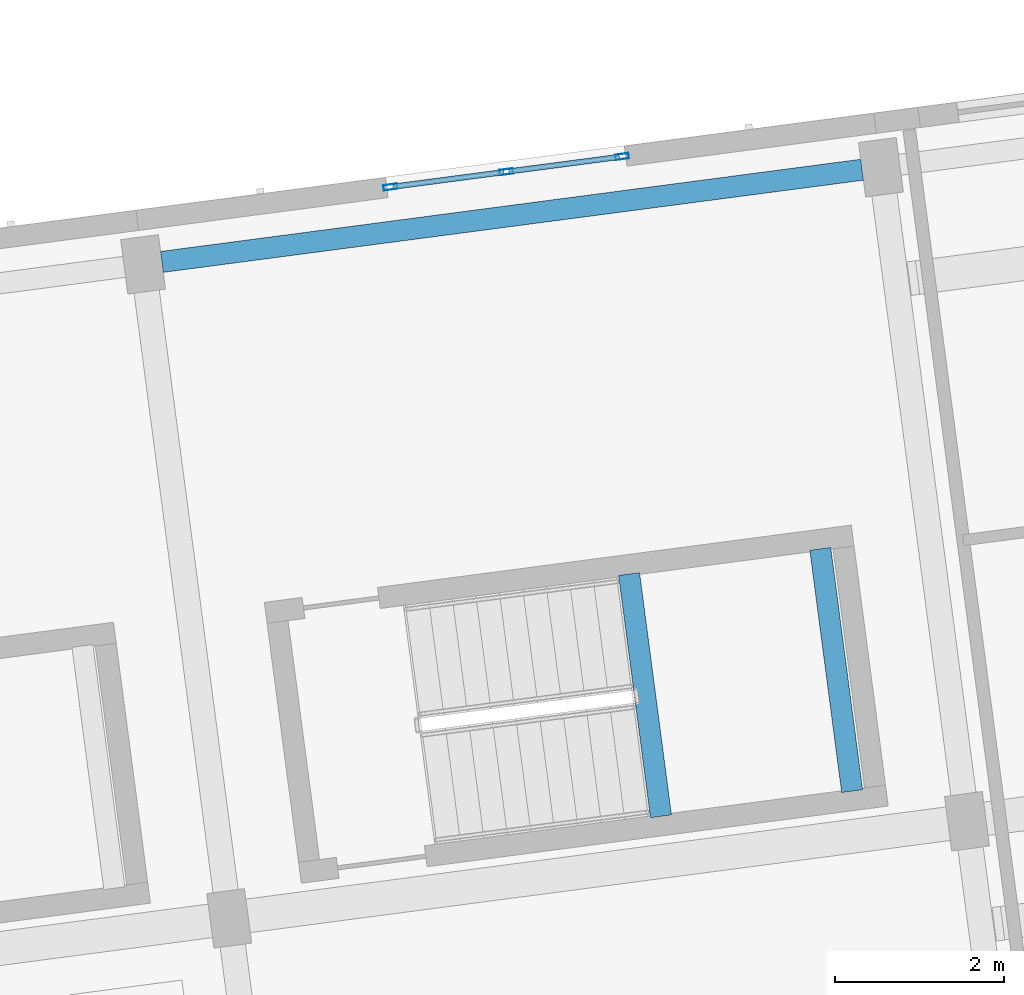
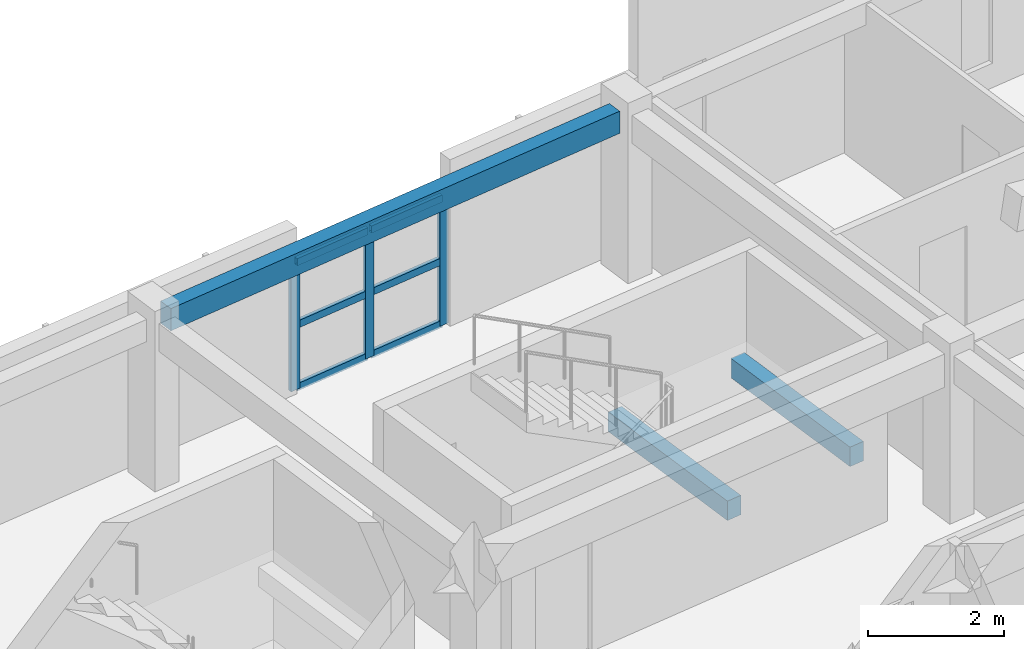
# One storey, part 3 of 16: 9 members, 3 beams, 1 element without a shape of its own.
"""IFC4 building model written with IfcOpenShell, lengths in metres."""

from ifc_helpers import new_model, si_unit, direction, frame, origin, origin_2d, place, context, subcontext, project, spatial, rectangle, hollow_rectangle, extrude, material, material_profile, profile_set, type_object, element, aggregate, save


model = new_model("IFC4")

# Units and contexts
model_context = context("Model", 3, precision=1e-05, world=origin(), true_north=direction((0.0, 1.0)))
body_context = subcontext(model_context, "Body", "Model", "MODEL_VIEW")
ifc_project = project(units=[si_unit("LENGTHUNIT", "METRE"), si_unit("AREAUNIT", "SQUARE_METRE"), si_unit("VOLUMEUNIT", "CUBIC_METRE"), si_unit("PLANEANGLEUNIT", "RADIAN"), si_unit("MASSUNIT", "GRAM", prefix="KILO")], contexts=[model_context])

# Site, building, storey
site_placement = place(None, origin())
site = spatial("IfcSite", under=ifc_project, at=site_placement, CompositionType="ELEMENT")
building_placement = place(site_placement, origin())
building = spatial("IfcBuilding", under=site, at=building_placement, Name="Kestramere Prow Commons", CompositionType="ELEMENT")
storey_placement = place(building_placement, frame((0.0, 0.0, 40.89990234375)))
storey = spatial("IfcBuildingStorey", under=building, at=storey_placement, Name="L12", CompositionType="ELEMENT", Elevation=40.89990234375)

# Beams
ifc_material_1 = material(Name="Concrete C40/50", Category="concrete")
ifc_material_profile_1 = material_profile(ifc_material_1, rectangle(XDim=0.25, YDim=0.35009765625, at=origin_2d()), Name="PC-BM 250x350")
ifc_profile_set_1 = profile_set([ifc_material_profile_1], Name="Concrete C40/50")
beam_type_1 = type_object("IfcBeamType", Name="BM-ST-TRIM", PredefinedType="BEAM", material=ifc_profile_set_1)
for number, where, z_axis, x_axis, name in (
    (1, (32.1630859375, 87.599609375, 1.25), (-0.130509140242, 0.99144710616, 0.0), (-0.99144710616, -0.130509140242, 0.0), "ST-A2 L12 Landing Trimmer Beam 1A"),
    (2, (34.423583984375, 87.897216796875, 1.25), (-0.130509140242, 0.99144710616, 0.0), (-0.99144710616, -0.130509140242, 0.0), "ST-A2 L12 Landing Trimmer Beam 1B"),
):
    element("IfcBeam", number, at=place(storey_placement, frame(where, z_axis=z_axis, x_axis=x_axis)), inside=storey, type_object=beam_type_1, Name=name, PredefinedType="BEAM", context=body_context, shape_type="SweptSolid", body=[
        extrude(rectangle(XDim=0.25, YDim=0.35009765625, at=origin_2d()), origin(), (0.0, 0.0, 1.0), 2.89013671875),
    ])

# Curtain wall, members
ifc_material_2 = material(Name="Anodised Aluminium and Low-E Glass", Category="aluminium")
curtain_wall_type = type_object("IfcCurtainWallType", Name="CW-03 Glazed Curtain Wall 2830x2320", PredefinedType="USERDEFINED", material=ifc_material_2)
curtain_wall_placement = place(storey_placement, origin())
curtain_wall = element("IfcCurtainWall", 3, at=curtain_wall_placement, inside=storey, type_object=curtain_wall_type, Name="Block A L12 Stairwell Vertical Glazing 3", ObjectType="GLAZED CURTAIN WALL", PredefinedType="USERDEFINED")
ifc_material_3 = material(Name="Anodised Aluminium 6063-T6", Category="aluminium")
ifc_material_profile_2 = material_profile(ifc_material_3, hollow_rectangle(XDim=0.06494140625, YDim=0.159912109375, WallThickness=0.00390625, at=origin_2d()), Name="ALU-MUL 65x160")
ifc_profile_set_2 = profile_set([ifc_material_profile_2], Name="Anodised Aluminium 6063-T6")
member_type_1 = type_object("IfcMemberType", Name="CW-MUL-65x160", PredefinedType="MULLION", material=ifc_profile_set_2)
member_1_placement = place(storey_placement, frame((28.962158203125, 95.04052734375, 0.0), z_axis=(0.0, 0.0, 1.0), x_axis=(-0.130526494555, 0.991444821571, 0.0)))
member_1 = element("IfcMember", 4, at=member_1_placement, type_object=member_type_1, Name="CW-03 mullion 1", PredefinedType="MULLION", context=body_context, shape_type="SweptSolid", body=[
    extrude(hollow_rectangle(XDim=0.06494140625, YDim=0.159912109375, WallThickness=0.00390625, at=origin_2d()), origin(), (0.0, 0.0, 1.0), 2.320068359375),
])
member_2_placement = place(storey_placement, frame((30.332763671875, 95.220947265625, 0.0), z_axis=(0.0, 0.0, 1.0), x_axis=(-0.130526494555, 0.991444821571, 0.0)))
member_2 = element("IfcMember", 5, at=member_2_placement, type_object=member_type_1, Name="CW-03 mullion 2", PredefinedType="MULLION", context=body_context, shape_type="SweptSolid", body=[
    extrude(hollow_rectangle(XDim=0.06494140625, YDim=0.159912109375, WallThickness=0.00390625, at=origin_2d()), origin(), (0.0, 0.0, 1.0), 2.320068359375),
])
member_3_placement = place(storey_placement, frame((31.703369140625, 95.4013671875, 0.0), z_axis=(0.0, 0.0, 1.0), x_axis=(-0.130526494555, 0.991444821571, 0.0)))
member_3 = element("IfcMember", 6, at=member_3_placement, type_object=member_type_1, Name="CW-03 mullion 3", PredefinedType="MULLION", context=body_context, shape_type="SweptSolid", body=[
    extrude(hollow_rectangle(XDim=0.06494140625, YDim=0.159912109375, WallThickness=0.00390625, at=origin_2d()), origin(), (0.0, 0.0, 1.0), 2.320068359375),
])
ifc_material_profile_3 = material_profile(ifc_material_3, hollow_rectangle(XDim=0.06494140625, YDim=0.1298828125, WallThickness=0.00390625, at=origin_2d()), Name="ALU-TRN 65x130")
ifc_profile_set_3 = profile_set([ifc_material_profile_3], Name="Anodised Aluminium 6063-T6")
member_type_2 = type_object("IfcMemberType", Name="CW-TRN-65x130", PredefinedType="USERDEFINED", material=ifc_profile_set_3)
member_4_placement = place(storey_placement, frame((28.994384765625, 95.044677734375, 0.03271484375), z_axis=(0.99142904707, 0.130646257605, 0.0), x_axis=(-0.130646257605, 0.99142904707, 0.0)))
member_4 = element("IfcMember", 7, at=member_4_placement, type_object=member_type_2, Name="CW-03 transom 1.1", ObjectType="TRANSOM", PredefinedType="USERDEFINED", context=body_context, shape_type="SweptSolid", body=[
    extrude(hollow_rectangle(XDim=0.06494140625, YDim=0.1298828125, WallThickness=0.00390625, at=origin_2d()), origin(), (0.0, 0.0, 1.0), 1.3173828125),
])
member_5_placement = place(storey_placement, frame((28.994384765625, 95.044677734375, 1.16015625), z_axis=(0.99142904707, 0.130646257605, 0.0), x_axis=(-0.130646257605, 0.99142904707, 0.0)))
member_5 = element("IfcMember", 8, at=member_5_placement, type_object=member_type_2, Name="CW-03 transom 1.2", ObjectType="TRANSOM", PredefinedType="USERDEFINED", context=body_context, shape_type="SweptSolid", body=[
    extrude(hollow_rectangle(XDim=0.06494140625, YDim=0.1298828125, WallThickness=0.00390625, at=origin_2d()), origin(), (0.0, 0.0, 1.0), 1.3173828125),
])
member_6_placement = place(storey_placement, frame((28.994384765625, 95.044677734375, 2.28759765625), z_axis=(0.99142904707, 0.130646257605, 0.0), x_axis=(-0.130646257605, 0.99142904707, 0.0)))
member_6 = element("IfcMember", 9, at=member_6_placement, type_object=member_type_2, Name="CW-03 transom 1.3", ObjectType="TRANSOM", PredefinedType="USERDEFINED", context=body_context, shape_type="SweptSolid", body=[
    extrude(hollow_rectangle(XDim=0.06494140625, YDim=0.1298828125, WallThickness=0.00390625, at=origin_2d()), origin(), (0.0, 0.0, 1.0), 1.3173828125),
])
member_7_placement = place(storey_placement, frame((30.364990234375, 95.225341796875, 0.03271484375), z_axis=(0.991453033969, 0.130464100171, 0.0), x_axis=(-0.130464100171, 0.991453033969, 0.0)))
member_7 = element("IfcMember", 10, at=member_7_placement, type_object=member_type_2, Name="CW-03 transom 2.1", ObjectType="TRANSOM", PredefinedType="USERDEFINED", context=body_context, shape_type="SweptSolid", body=[
    extrude(hollow_rectangle(XDim=0.06494140625, YDim=0.1298828125, WallThickness=0.00390625, at=origin_2d()), origin(), (0.0, 0.0, 1.0), 1.3173828125),
])
member_8_placement = place(storey_placement, frame((30.364990234375, 95.225341796875, 1.16015625), z_axis=(0.991453033969, 0.130464100171, 0.0), x_axis=(-0.130464100171, 0.991453033969, 0.0)))
member_8 = element("IfcMember", 11, at=member_8_placement, type_object=member_type_2, Name="CW-03 transom 2.2", ObjectType="TRANSOM", PredefinedType="USERDEFINED", context=body_context, shape_type="SweptSolid", body=[
    extrude(hollow_rectangle(XDim=0.06494140625, YDim=0.1298828125, WallThickness=0.00390625, at=origin_2d()), origin(), (0.0, 0.0, 1.0), 1.3173828125),
])
member_9_placement = place(storey_placement, frame((30.364990234375, 95.225341796875, 2.28759765625), z_axis=(0.991453033969, 0.130464100171, 0.0), x_axis=(-0.130464100171, 0.991453033969, 0.0)))
member_9 = element("IfcMember", 12, at=member_9_placement, type_object=member_type_2, Name="CW-03 transom 2.3", ObjectType="TRANSOM", PredefinedType="USERDEFINED", context=body_context, shape_type="SweptSolid", body=[
    extrude(hollow_rectangle(XDim=0.06494140625, YDim=0.1298828125, WallThickness=0.00390625, at=origin_2d()), origin(), (0.0, 0.0, 1.0), 1.3173828125),
])
aggregate(curtain_wall, [member_1, member_2, member_3, member_4, member_5, member_6, member_7, member_8, member_9])

# Beam
ifc_material_4 = material(Name="Precast concrete C40/50", Category="concrete")
ifc_material_profile_4 = material_profile(ifc_material_4, rectangle(XDim=0.25, YDim=0.39990234375, at=origin_2d()), Name="PC-SP 250x400")
ifc_profile_set_4 = profile_set([ifc_material_profile_4], Name="Precast concrete C40/50")
beam_type_2 = type_object("IfcBeamType", Name="SP-EXT-01 PC-SP 250x400", PredefinedType="SPANDREL", material=ifc_profile_set_4)
beam_placement = place(storey_placement, frame((26.261962890625, 94.155517578125, 2.800048828125), z_axis=(0.991445635283, 0.13052031366, 0.0), x_axis=(-0.13052031366, 0.991445635283, 0.0)))
element("IfcBeam", 13, at=beam_placement, inside=storey, type_object=beam_type_2, Name="Block A L12 Longitudinal Beam 4-3", PredefinedType="SPANDREL", context=body_context, shape_type="SweptSolid", body=[
    extrude(rectangle(XDim=0.25, YDim=0.39990234375, at=origin_2d()), origin(), (0.0, 0.0, 1.0), 8.35009765625),
])

save(model, "model.ifc")
